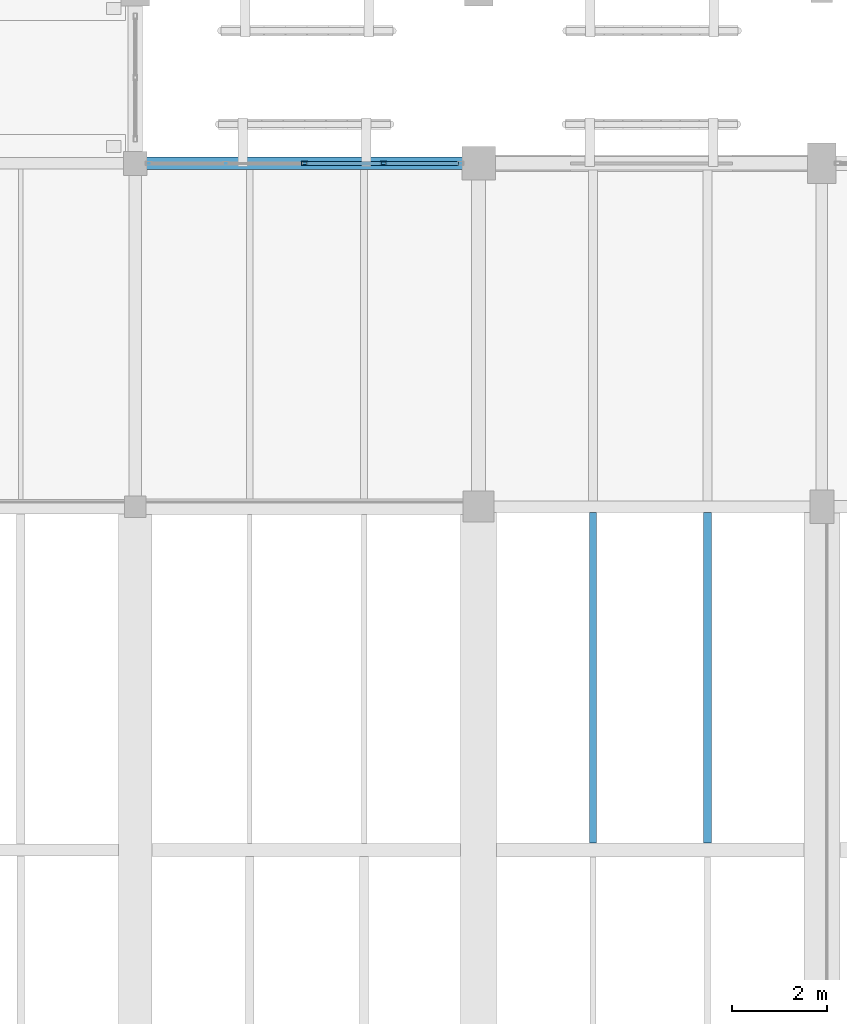
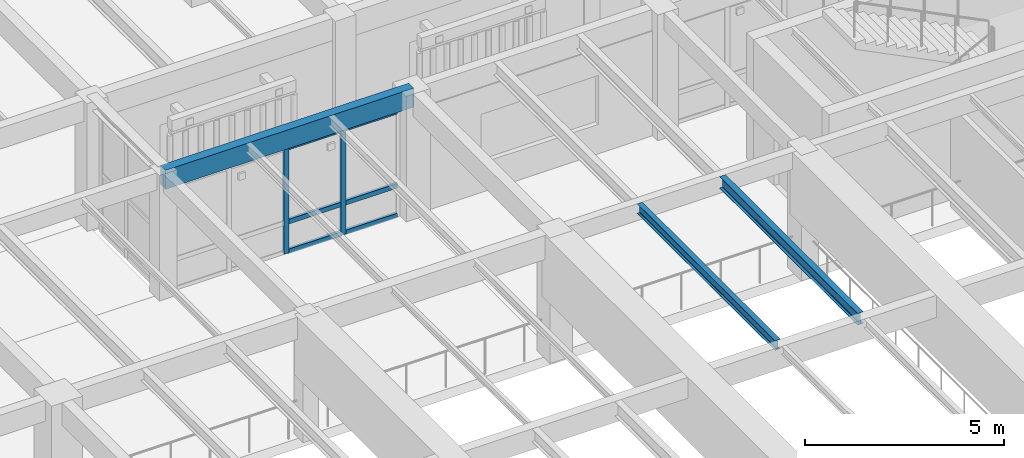
# One storey, part 92 of 170: 8 members, 3 beams, 1 element without a shape of its own.
"""IFC4 building model written with IfcOpenShell, lengths in metres."""

from ifc_helpers import new_model, si_unit, direction, frame, origin, origin_2d, place, context, subcontext, project, spatial, rectangle, hollow_rectangle, i_section, extrude, material, layer, layer_set, material_profile, profile_set, type_object, element, aggregate, save


model = new_model("IFC4")

# Units and contexts
model_context = context("Model", 3, precision=1e-05, world=origin(), true_north=direction((0.0, 1.0)))
body_context = subcontext(model_context, "Body", "Model", "MODEL_VIEW")
ifc_project = project(units=[si_unit("LENGTHUNIT", "METRE"), si_unit("AREAUNIT", "SQUARE_METRE"), si_unit("VOLUMEUNIT", "CUBIC_METRE"), si_unit("PLANEANGLEUNIT", "RADIAN"), si_unit("MASSUNIT", "GRAM", prefix="KILO")], contexts=[model_context])

# Site, building, storey
site_placement = place(None, origin())
site = spatial("IfcSite", under=ifc_project, at=site_placement, CompositionType="ELEMENT")
building_placement = place(site_placement, origin())
building = spatial("IfcBuilding", under=site, at=building_placement, Name="Mazaris Harbour Polytechnic", CompositionType="ELEMENT")
storey_placement = place(building_placement, frame((0.0, 0.0, 5.39990234375)))
storey = spatial("IfcBuildingStorey", under=building, at=storey_placement, Name="L01", CompositionType="ELEMENT", Elevation=5.39990234375)

# Curtain wall, members
ifc_material_1 = material(Name="Anodised Bronze Aluminium and Low-E Glass", Category="aluminium")
ifc_layer = layer(ifc_material_1, 0.159912109375, Name="Anodised Bronze Aluminium and Low-E Glass")
ifc_layer_set = layer_set([ifc_layer], Name="Anodised Bronze Aluminium and Low-E Glass")
curtain_wall_type = type_object("IfcCurtainWallType", Name="Cloister Court Curtain Wall", PredefinedType="NOTDEFINED", material=ifc_layer_set)
curtain_wall_placement = place(storey_placement, origin())
curtain_wall = element("IfcCurtainWall", 1, at=curtain_wall_placement, inside=storey, type_object=curtain_wall_type, Name="V2 L01 Curtain Wall 44", PredefinedType="NOTDEFINED")
ifc_material_2 = material(Name="Anodised Bronze Steel S355", Category="steel")
ifc_material_profile_1 = material_profile(ifc_material_2, hollow_rectangle(XDim=0.080078125, YDim=0.139892578125, WallThickness=0.00634765625, at=origin_2d()), Name="RHS 80x140x6.3")
ifc_profile_set_1 = profile_set([ifc_material_profile_1], Name="Anodised Bronze Steel S355")
member_type_1 = type_object("IfcMemberType", Name="Curtain Mullion RHS80x140", PredefinedType="MULLION", material=ifc_profile_set_1)
member_1_placement = place(storey_placement, frame((140.35009765625, 43.199951171875, 0.0), z_axis=(0.0, 0.0, 1.0), x_axis=(0.0, 1.0, 0.0)))
member_1 = element("IfcMember", 2, at=member_1_placement, type_object=member_type_1, Name="CW-02 mullion 3", PredefinedType="MULLION", context=body_context, shape_type="SweptSolid", body=[
    extrude(hollow_rectangle(XDim=0.080078125, YDim=0.139892578125, WallThickness=0.00634765625, at=origin_2d()), origin(), (0.0, 0.0, 1.0), 3.260009765625),
])
member_2_placement = place(storey_placement, frame((142.00390625, 43.199951171875, 0.0), z_axis=(0.0, 0.0, 1.0), x_axis=(0.0, 1.0, 0.0)))
member_2 = element("IfcMember", 3, at=member_2_placement, type_object=member_type_1, Name="CW-02 mullion 4", PredefinedType="MULLION", context=body_context, shape_type="SweptSolid", body=[
    extrude(hollow_rectangle(XDim=0.080078125, YDim=0.139892578125, WallThickness=0.00634765625, at=origin_2d()), origin(), (0.0, 0.0, 1.0), 3.260009765625),
])
ifc_material_3 = material(Name="Anodised Bronze Steel S355", Category="steel")
ifc_material_profile_2 = material_profile(ifc_material_3, hollow_rectangle(XDim=0.080078125, YDim=0.139892578125, WallThickness=0.00634765625, at=origin_2d()), Name="RHS 80x140x6.3")
ifc_profile_set_2 = profile_set([ifc_material_profile_2], Name="Anodised Bronze Steel S355")
member_type_2 = type_object("IfcMemberType", Name="Curtain Transom RHS80x140", PredefinedType="USERDEFINED", material=ifc_profile_set_2)
member_3_placement = place(storey_placement, frame((140.389892578125, 43.199951171875, 0.0400390625), z_axis=(1.0, 0.0, 0.0), x_axis=(0.0, 1.0, 0.0)))
member_3 = element("IfcMember", 4, at=member_3_placement, type_object=member_type_2, Name="CW-02 transom 3.1", ObjectType="TRANSOM", PredefinedType="USERDEFINED", context=body_context, shape_type="SweptSolid", body=[
    extrude(hollow_rectangle(XDim=0.080078125, YDim=0.139892578125, WallThickness=0.00634765625, at=origin_2d()), origin(), (0.0, 0.0, 1.0), 1.57421875),
])
member_4_placement = place(storey_placement, frame((140.389892578125, 43.199951171875, 0.9501953125), z_axis=(1.0, 0.0, 0.0), x_axis=(0.0, 1.0, 0.0)))
member_4 = element("IfcMember", 5, at=member_4_placement, type_object=member_type_2, Name="CW-02 transom 3.2", ObjectType="TRANSOM", PredefinedType="USERDEFINED", context=body_context, shape_type="SweptSolid", body=[
    extrude(hollow_rectangle(XDim=0.080078125, YDim=0.139892578125, WallThickness=0.00634765625, at=origin_2d()), origin(), (0.0, 0.0, 1.0), 1.57421875),
])
member_5_placement = place(storey_placement, frame((140.389892578125, 43.199951171875, 3.22021484375), z_axis=(1.0, 0.0, 0.0), x_axis=(0.0, 1.0, 0.0)))
member_5 = element("IfcMember", 6, at=member_5_placement, type_object=member_type_2, Name="CW-02 transom 3.3", ObjectType="TRANSOM", PredefinedType="USERDEFINED", context=body_context, shape_type="SweptSolid", body=[
    extrude(hollow_rectangle(XDim=0.080078125, YDim=0.139892578125, WallThickness=0.00634765625, at=origin_2d()), origin(), (0.0, 0.0, 1.0), 1.57421875),
])
member_6_placement = place(storey_placement, frame((142.0439453125, 43.199951171875, 0.0400390625), z_axis=(1.0, 0.0, 0.0), x_axis=(0.0, 1.0, 0.0)))
member_6 = element("IfcMember", 7, at=member_6_placement, type_object=member_type_2, Name="CW-02 transom 4.1", ObjectType="TRANSOM", PredefinedType="USERDEFINED", context=body_context, shape_type="SweptSolid", body=[
    extrude(hollow_rectangle(XDim=0.080078125, YDim=0.139892578125, WallThickness=0.00634765625, at=origin_2d()), origin(), (0.0, 0.0, 1.0), 1.533935546875),
])
member_7_placement = place(storey_placement, frame((142.0439453125, 43.199951171875, 0.9501953125), z_axis=(1.0, 0.0, 0.0), x_axis=(0.0, 1.0, 0.0)))
member_7 = element("IfcMember", 8, at=member_7_placement, type_object=member_type_2, Name="CW-02 transom 4.2", ObjectType="TRANSOM", PredefinedType="USERDEFINED", context=body_context, shape_type="SweptSolid", body=[
    extrude(hollow_rectangle(XDim=0.080078125, YDim=0.139892578125, WallThickness=0.00634765625, at=origin_2d()), origin(), (0.0, 0.0, 1.0), 1.533935546875),
])
member_8_placement = place(storey_placement, frame((142.0439453125, 43.199951171875, 3.22021484375), z_axis=(1.0, 0.0, 0.0), x_axis=(0.0, 1.0, 0.0)))
member_8 = element("IfcMember", 9, at=member_8_placement, type_object=member_type_2, Name="CW-02 transom 4.3", ObjectType="TRANSOM", PredefinedType="USERDEFINED", context=body_context, shape_type="SweptSolid", body=[
    extrude(hollow_rectangle(XDim=0.080078125, YDim=0.139892578125, WallThickness=0.00634765625, at=origin_2d()), origin(), (0.0, 0.0, 1.0), 1.533935546875),
])
aggregate(curtain_wall, [member_1, member_2, member_3, member_4, member_5, member_6, member_7, member_8])

# Beams
ifc_material_4 = material(Name="Glulam GL32h", Category="wood")
ifc_material_profile_3 = material_profile(ifc_material_4, rectangle(XDim=0.260009765625, YDim=0.580078125, at=origin_2d()), Name="RECT260x580")
ifc_profile_set_3 = profile_set([ifc_material_profile_3], Name="Glulam GL32h")
beam_type_1 = type_object("IfcBeamType", Name="Glulam Girder 260x580 Exterior", PredefinedType="BEAM", material=ifc_profile_set_3)
beam_1_placement = place(storey_placement, frame((136.800048828125, 43.199951171875, 3.56005859375), z_axis=(1.0, 0.0, 0.0), x_axis=(0.0, 1.0, 0.0)))
element("IfcBeam", 10, at=beam_1_placement, inside=storey, type_object=beam_type_1, Name="V2 L01 Girder 551", PredefinedType="BEAM", context=body_context, shape_type="SweptSolid", body=[
    extrude(rectangle(XDim=0.260009765625, YDim=0.580078125, at=origin_2d()), origin(), (0.0, 0.0, 1.0), 7.199951171875),
])
ifc_material_5 = material(Name="Steel S355", Category="steel")
ifc_material_profile_4 = material_profile(ifc_material_5, i_section(OverallWidth=0.14990234375, OverallDepth=0.300048828125, WebThickness=0.007080078125, FlangeThickness=0.0107421875, FilletRadius=0.014892578125, at=origin_2d()), Name="IPE 300")
ifc_profile_set_4 = profile_set([ifc_material_profile_4], Name="Steel S355")
beam_type_2 = type_object("IfcBeamType", Name="Steel Joist IPE300", PredefinedType="JOIST", material=ifc_profile_set_4)
beam_2_placement = place(storey_placement, frame((146.39990234375, 28.949951171875, 3.7001953125), z_axis=(0.0, 1.0, 0.0), x_axis=(-1.0, 0.0, 0.0)))
element("IfcBeam", 11, at=beam_2_placement, inside=storey, type_object=beam_type_2, Name="V2 L01 Floor Joist 612", PredefinedType="JOIST", context=body_context, shape_type="SweptSolid", body=[
    extrude(i_section(OverallWidth=0.14990234375, OverallDepth=0.300048828125, WebThickness=0.007080078125, FlangeThickness=0.0107421875, FilletRadius=0.014892578125, at=origin_2d()), origin(), (0.0, 0.0, 1.0), 6.929931640625),
])
ifc_material_6 = material(Name="Steel S355", Category="steel")
ifc_material_profile_5 = material_profile(ifc_material_6, i_section(OverallWidth=0.169921875, OverallDepth=0.360107421875, WebThickness=0.008056640625, FlangeThickness=0.0126953125, FilletRadius=0.01806640625, at=origin_2d()), Name="IPE 360")
ifc_profile_set_5 = profile_set([ifc_material_profile_5], Name="Steel S355")
beam_type_3 = type_object("IfcBeamType", Name="Steel Joist IPE360", PredefinedType="JOIST", material=ifc_profile_set_5)
beam_3_placement = place(storey_placement, frame((148.800048828125, 28.949951171875, 3.670166015625), z_axis=(0.0, 1.0, 0.0), x_axis=(-1.0, 0.0, 0.0)))
element("IfcBeam", 12, at=beam_3_placement, inside=storey, type_object=beam_type_3, Name="V2 L01 Floor Joist 613", PredefinedType="JOIST", context=body_context, shape_type="SweptSolid", body=[
    extrude(i_section(OverallWidth=0.169921875, OverallDepth=0.360107421875, WebThickness=0.008056640625, FlangeThickness=0.0126953125, FilletRadius=0.01806640625, at=origin_2d()), origin(), (0.0, 0.0, 1.0), 6.929931640625),
])

save(model, "model.ifc")
